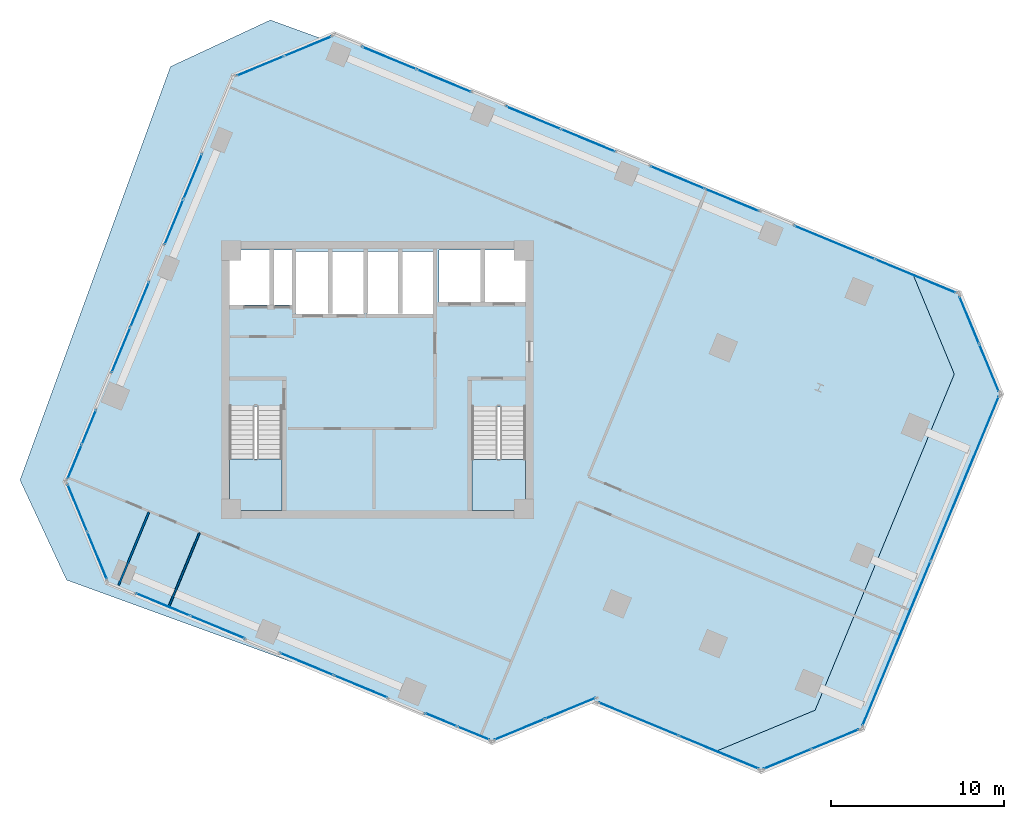
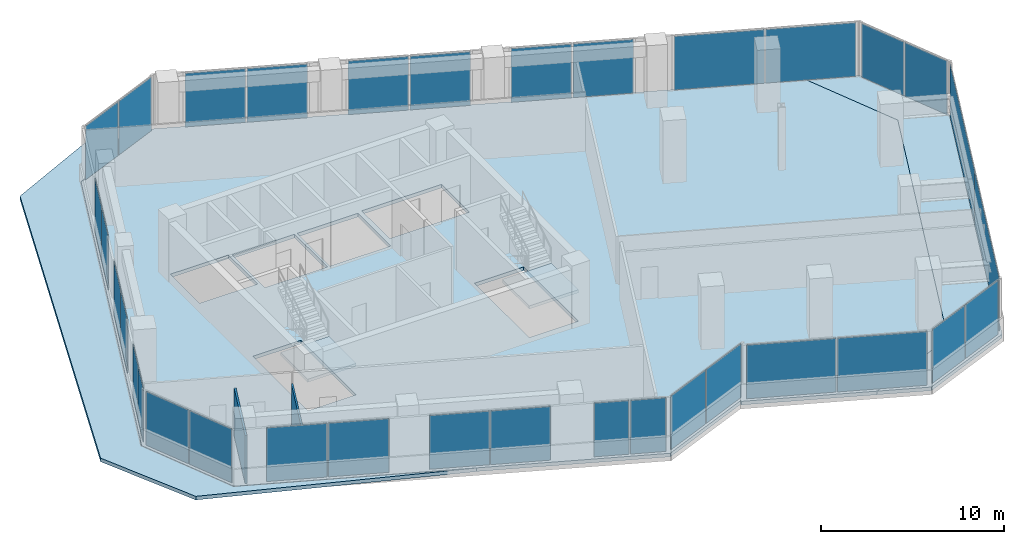
# One storey, part 18 of 24: 34 plates, 5 slabs, 2 walls, 19 elements without a shape of their own.
"""IFC4 building model written with IfcOpenShell, lengths in metres."""

from ifc_helpers import new_model, si_unit, direction, frame, frame_2d, origin, origin_2d, place, context, subcontext, project, spatial, polyline, rectangle, outline, extrude, source, transform, mapped, material, layer, layer_set, type_object, element, aggregate, save


model = new_model("IFC4")

# Units and contexts
model_context = context("Model", 3, precision=1e-05, world=origin(), true_north=direction((0.0, 1.0)))
body_context = subcontext(model_context, "Body", "Model", "MODEL_VIEW")
ifc_project = project(units=[si_unit("LENGTHUNIT", "METRE"), si_unit("AREAUNIT", "SQUARE_METRE"), si_unit("VOLUMEUNIT", "CUBIC_METRE"), si_unit("PLANEANGLEUNIT", "RADIAN"), si_unit("MASSUNIT", "GRAM", prefix="KILO")], contexts=[model_context])

# Site, building, storey
site_placement = place(None, origin())
site = spatial("IfcSite", under=ifc_project, at=site_placement, CompositionType="ELEMENT")
building_placement = place(site_placement, origin())
building = spatial("IfcBuilding", under=site, at=building_placement, Name="Torre Montelarca", CompositionType="ELEMENT")
storey_placement = place(building_placement, frame((0.0, 0.0, 141.39990234375)))
storey = spatial("IfcBuildingStorey", under=building, at=storey_placement, Name="L31", CompositionType="ELEMENT", Elevation=141.39990234375)

# Slabs
ifc_material_1 = material(Name="Concrete C40/50", Category="concrete")
ifc_layer_1 = layer(ifc_material_1, 0.239990234375, Name="Concrete C40/50", Category="concrete")
ifc_layer_set_1 = layer_set([ifc_layer_1], Name="Concrete C40/50")
slab_type_1 = type_object("IfcSlabType", Name="SL-FLR-240", PredefinedType="FLOOR", material=ifc_layer_set_1)
slab_1_placement = place(storey_placement, frame((0.0, 0.0, -0.239990234375)))
element("IfcSlab", 1, at=slab_1_placement, inside=storey, type_object=slab_type_1, Name="L31 Structural Floor Slab", PredefinedType="FLOOR", context=body_context, shape_type="SweptSolid", body=[
    extrude(outline(polyline([(24.60546875, 11.01416015625), (30.485107421875, 13.449462890625), (30.44677734375, 13.357177734375), (37.375732421875, 10.487060546875), (43.25537109375, 12.92236328125), (51.291748046875, 32.323974609375), (48.856201171875, 38.203369140625), (15.50439453125, 52.018310546875), (9.624755859375, 49.5830078125), (-0.095458984375, 26.1162109375), (2.340087890625, 20.23681640625), (24.60546875, 11.01416015625)]), holes=[polyline([(26.550048828125, 24.449951171875), (23.43994140625, 24.449951171875), (23.43994140625, 30.429931640625), (26.550048828125, 30.429931640625), (26.550048828125, 24.449951171875)]), polyline([(9.449951171875, 24.449951171875), (9.449951171875, 30.4599609375), (12.5, 30.4599609375), (12.5, 24.449951171875), (9.449951171875, 24.449951171875)]), polyline([(17.25, 35.800048828125), (13.300048828125, 35.800048828125), (13.300048828125, 39.39990234375), (17.25, 39.39990234375), (17.25, 35.800048828125)]), polyline([(21.25, 39.39990234375), (21.25, 35.800048828125), (17.39990234375, 35.800048828125), (17.39990234375, 39.39990234375), (21.25, 39.39990234375)]), polyline([(13.1201171875, 36.300048828125), (9.449951171875, 36.300048828125), (9.449951171875, 39.5), (13.1201171875, 39.5), (13.1201171875, 36.300048828125)]), polyline([(26.60009765625, 36.449951171875), (21.550048828125, 36.449951171875), (21.550048828125, 39.5), (26.60009765625, 39.5), (26.60009765625, 36.449951171875)])]), origin(), (0.0, 0.0, 1.0), 0.239990234375),
])
slab_2_placement = place(storey_placement, frame((0.0, 0.0, -0.239990234375)))
element("IfcSlab", 2, at=slab_2_placement, inside=storey, type_object=slab_type_1, Name="L31 Sliding Tray Winter Garden Floor Slab E1", PredefinedType="FLOOR", context=body_context, shape_type="SweptSolid", body=[
    extrude(outline(polyline([(48.856201171875, 38.203369140625), (51.291748046875, 32.323974609375), (43.25537109375, 12.92236328125), (37.375732421875, 10.487060546875), (40.1474609375, 9.339111328125), (46.027099609375, 11.7744140625), (54.063232421875, 31.17578125), (51.6279296875, 37.055419921875), (48.856201171875, 38.203369140625)])), origin(), (0.0, 0.0, 1.0), 0.239990234375),
])
ifc_material_2 = material(Name="Architectural concrete C40/50", Category="concrete")
ifc_layer_2 = layer(ifc_material_2, 0.239990234375, Name="Architectural concrete C40/50", Category="concrete")
ifc_layer_set_2 = layer_set([ifc_layer_2], Name="Architectural concrete C40/50")
slab_type_2 = type_object("IfcSlabType", Name="SL-ROOF-EXT-240", PredefinedType="ROOF", material=ifc_layer_set_2)
slab_3_placement = place(storey_placement, frame((0.0, 0.0, -0.239990234375)))
element("IfcSlab", 3, at=slab_3_placement, inside=storey, type_object=slab_type_2, Name="L30 Setback and Tray Overhang Roof Cap Slab 01", PredefinedType="ROOF", context=body_context, shape_type="SweptSolid", body=[
    extrude(outline(polyline([(2.333984375, 20.230712890625), (-0.10400390625, 26.1162109375), (9.61865234375, 49.589111328125), (14.726806640625, 51.704833984375), (11.817626953125, 52.763671875), (6.050048828125, 50.07421875), (-2.63720703125, 26.2060546875), (0.05224609375, 20.438232421875), (14.72900390625, 15.096435546875), (2.333984375, 20.230712890625)])), origin(), (0.0, 0.0, 1.0), 0.239990234375),
])

# Stair, slab
stair_type_1 = type_object("IfcStairType", Name="ST-CORE-ST1", PredefinedType="HALF_TURN_STAIR", material=ifc_material_1)
stair_1_placement = place(storey_placement, origin())
stair_1 = element("IfcStair", 4, at=stair_1_placement, inside=storey, type_object=stair_type_1, Name="L31 Protected Exit Stair ST1", PredefinedType="HALF_TURN_STAIR")
ifc_layer_3 = layer(ifc_material_1, 0.199951171875, Name="Concrete C40/50", Category="concrete")
ifc_layer_set_3 = layer_set([ifc_layer_3], Name="Concrete C40/50")
slab_type_3 = type_object("IfcSlabType", Name="SL-ST-LAND-ST1", PredefinedType="LANDING", material=ifc_layer_set_3)
slab_4_placement = place(storey_placement, frame((0.0, 0.0, 1.900146484375)))
slab_4 = element("IfcSlab", 5, at=slab_4_placement, type_object=slab_type_3, Name="ST1 landing 1", PredefinedType="LANDING", context=body_context, shape_type="SweptSolid", body=[
    extrude(outline(polyline([(9.449951171875, 27.419921875), (9.449951171875, 24.449951171875), (12.5, 24.449951171875), (12.5, 27.419921875), (9.449951171875, 27.419921875)])), origin(), (0.0, 0.0, 1.0), 0.199951171875),
])
aggregate(stair_1, [slab_4])

stair_type_2 = type_object("IfcStairType", Name="ST-CORE-ST2", PredefinedType="HALF_TURN_STAIR", material=ifc_material_1)
stair_2_placement = place(storey_placement, origin())
stair_2 = element("IfcStair", 6, at=stair_2_placement, inside=storey, type_object=stair_type_2, Name="L31 Protected Exit Stair ST2", PredefinedType="HALF_TURN_STAIR")
ifc_layer_4 = layer(ifc_material_1, 0.199951171875, Name="Concrete C40/50", Category="concrete")
ifc_layer_set_4 = layer_set([ifc_layer_4], Name="Concrete C40/50")
slab_type_4 = type_object("IfcSlabType", Name="SL-ST-LAND-ST2", PredefinedType="LANDING", material=ifc_layer_set_4)
slab_5_placement = place(storey_placement, frame((0.0, 0.0, 1.900146484375)))
slab_5 = element("IfcSlab", 7, at=slab_5_placement, type_object=slab_type_4, Name="ST2 landing 1", PredefinedType="LANDING", context=body_context, shape_type="SweptSolid", body=[
    extrude(outline(polyline([(23.43994140625, 27.389892578125), (23.43994140625, 24.449951171875), (26.550048828125, 24.449951171875), (26.550048828125, 27.389892578125), (23.43994140625, 27.389892578125)])), origin(), (0.0, 0.0, 1.0), 0.199951171875),
])
aggregate(stair_2, [slab_5])

# Curtain wall, plates
ifc_material_3 = material(Name="Insulated low-E laminated glass", Category="glass")
curtain_wall_type = type_object("IfcCurtainWallType", Name="CW-SYS-Z2", PredefinedType="USERDEFINED", material=ifc_material_3)
curtain_wall_1_placement = place(storey_placement, origin())
curtain_wall_1 = element("IfcCurtainWall", 8, at=curtain_wall_1_placement, inside=storey, type_object=curtain_wall_type, Name="L31 Curtain Wall Run CW-T3-L31-E01-B3", ObjectType="UNITISED GLAZING", PredefinedType="USERDEFINED")
ifc_layer_5 = layer(ifc_material_3, 0.031982421875, Name="Insulated low-E laminated glass", Category="glass")
ifc_layer_set_5 = layer_set([ifc_layer_5], Name="Insulated low-E laminated glass")
plate_type = type_object("IfcPlateType", Name="CWP-GLZ-32", PredefinedType="CURTAIN_PANEL", material=ifc_layer_set_5)
shared_shape_1 = source(origin(), body_context, "Body", "SweptSolid", [
    extrude(rectangle(XDim=1.95458984375, YDim=0.031982421875, at=origin_2d()), origin(), (0.0, 0.0, 1.0), 3.590087890625),
])
plate_1_placement = place(storey_placement, frame((21.673095703125, 12.369384765625, 0.06494140625), z_axis=(0.0, 0.0, 1.0), x_axis=(0.923885869728, -0.382668132611, 0.0)))
plate_1 = element("IfcPlate", 9, at=plate_1_placement, type_object=plate_type, Name="CW panel 1.1", PredefinedType="CURTAIN_PANEL", context=body_context, shape_type="MappedRepresentation", body=[
    mapped(shared_shape_1, transform((0.0, 0.0, 0.0), scale=1.0)),
])
plate_2_placement = place(storey_placement, frame((23.5390625, 11.596435546875, 0.06494140625), z_axis=(0.0, 0.0, 1.0), x_axis=(0.923885869728, -0.382668132611, 0.0)))
plate_2 = element("IfcPlate", 10, at=plate_2_placement, type_object=plate_type, Name="CW panel 2.1", PredefinedType="CURTAIN_PANEL", context=body_context, shape_type="MappedRepresentation", body=[
    mapped(shared_shape_1, transform((0.0, 0.0, 0.0), scale=1.0)),
])
aggregate(curtain_wall_1, [plate_1, plate_2])

curtain_wall_2_placement = place(storey_placement, origin())
curtain_wall_2 = element("IfcCurtainWall", 11, at=curtain_wall_2_placement, inside=storey, type_object=curtain_wall_type, Name="L31 Curtain Wall Run CW-T3-L31-E05-B1", ObjectType="UNITISED GLAZING", PredefinedType="USERDEFINED")
shared_shape_2 = source(origin(), body_context, "Body", "SweptSolid", [
    extrude(rectangle(XDim=2.918701171875, YDim=0.031982421875, at=origin_2d()), origin(), (0.0, 0.0, 1.0), 3.590087890625),
])
plate_3_placement = place(storey_placement, frame((41.6591796875, 10.10595703125, 0.06494140625), z_axis=(0.0, 0.0, 1.0), x_axis=(0.923888535136, 0.382661697384, 0.0)))
plate_3 = element("IfcPlate", 12, at=plate_3_placement, type_object=plate_type, Name="CW panel 1.1", PredefinedType="CURTAIN_PANEL", context=body_context, shape_type="MappedRepresentation", body=[
    mapped(shared_shape_2, transform((0.0, 0.0, 0.0), scale=1.0)),
])
plate_4_placement = place(storey_placement, frame((44.415771484375, 11.24755859375, 0.06494140625), z_axis=(0.0, 0.0, 1.0), x_axis=(0.923888535136, 0.382661697384, 0.0)))
plate_4 = element("IfcPlate", 13, at=plate_4_placement, type_object=plate_type, Name="CW panel 2.1", PredefinedType="CURTAIN_PANEL", context=body_context, shape_type="MappedRepresentation", body=[
    mapped(shared_shape_2, transform((0.0, 0.0, 0.0), scale=1.0)),
])
aggregate(curtain_wall_2, [plate_3, plate_4])

curtain_wall_3_placement = place(storey_placement, origin())
curtain_wall_3 = element("IfcCurtainWall", 14, at=curtain_wall_3_placement, inside=storey, type_object=curtain_wall_type, Name="L31 Curtain Wall Run CW-T3-L31-E09-B1", ObjectType="UNITISED GLAZING", PredefinedType="USERDEFINED")
plate_5_placement = place(storey_placement, frame((13.992431640625, 51.25146484375, 0.06494140625), z_axis=(0.0, 0.0, 1.0), x_axis=(-0.923882674262, -0.38267584742, 0.0)))
plate_5 = element("IfcPlate", 15, at=plate_5_placement, type_object=plate_type, Name="CW panel 1.1", PredefinedType="CURTAIN_PANEL", context=body_context, shape_type="MappedRepresentation", body=[
    mapped(shared_shape_2, transform((0.0, 0.0, 0.0), scale=1.0)),
])
plate_6_placement = place(storey_placement, frame((11.236083984375, 50.109619140625, 0.06494140625), z_axis=(0.0, 0.0, 1.0), x_axis=(-0.923882674262, -0.38267584742, 0.0)))
plate_6 = element("IfcPlate", 16, at=plate_6_placement, type_object=plate_type, Name="CW panel 2.1", PredefinedType="CURTAIN_PANEL", context=body_context, shape_type="MappedRepresentation", body=[
    mapped(shared_shape_2, transform((0.0, 0.0, 0.0), scale=1.0)),
])
aggregate(curtain_wall_3, [plate_5, plate_6])

curtain_wall_4_placement = place(storey_placement, origin())
curtain_wall_4 = element("IfcCurtainWall", 17, at=curtain_wall_4_placement, inside=storey, type_object=curtain_wall_type, Name="L31 Curtain Wall Run CW-T3-L31-E11-B1", ObjectType="UNITISED GLAZING", PredefinedType="USERDEFINED")
plate_7_placement = place(storey_placement, frame((0.671630859375, 24.6044921875, 0.06494140625), z_axis=(0.0, 0.0, 1.0), x_axis=(0.382681708452, -0.923880246577, 0.0)))
plate_7 = element("IfcPlate", 18, at=plate_7_placement, type_object=plate_type, Name="CW panel 1.1", PredefinedType="CURTAIN_PANEL", context=body_context, shape_type="MappedRepresentation", body=[
    mapped(shared_shape_2, transform((0.0, 0.0, 0.0), scale=1.0)),
])
plate_8_placement = place(storey_placement, frame((1.813232421875, 21.84814453125, 0.06494140625), z_axis=(0.0, 0.0, 1.0), x_axis=(0.382681708452, -0.923880246577, 0.0)))
plate_8 = element("IfcPlate", 19, at=plate_8_placement, type_object=plate_type, Name="CW panel 2.1", PredefinedType="CURTAIN_PANEL", context=body_context, shape_type="MappedRepresentation", body=[
    mapped(shared_shape_2, transform((0.0, 0.0, 0.0), scale=1.0)),
])
aggregate(curtain_wall_4, [plate_7, plate_8])

curtain_wall_5_placement = place(storey_placement, origin())
curtain_wall_5 = element("IfcCurtainWall", 20, at=curtain_wall_5_placement, inside=storey, type_object=curtain_wall_type, Name="L31 Curtain Wall Run CW-T3-L31-E01-B1", ObjectType="UNITISED GLAZING", PredefinedType="USERDEFINED")
shared_shape_3 = source(origin(), body_context, "Body", "SweptSolid", [
    extrude(rectangle(XDim=3.347412109375, YDim=0.031982421875, at=origin_2d()), origin(), (0.0, 0.0, 1.0), 3.590087890625),
])
plate_9_placement = place(storey_placement, frame((5.61767578125, 19.02001953125, 0.06494140625), z_axis=(0.0, 0.0, 1.0), x_axis=(0.923876197522, -0.382691483643, 0.0)))
plate_9 = element("IfcPlate", 21, at=plate_9_placement, type_object=plate_type, Name="CW panel 1.1", PredefinedType="CURTAIN_PANEL", context=body_context, shape_type="MappedRepresentation", body=[
    mapped(shared_shape_3, transform((0.0, 0.0, 0.0), scale=1.0)),
])
plate_10_placement = place(storey_placement, frame((8.770263671875, 17.714111328125, 0.06494140625), z_axis=(0.0, 0.0, 1.0), x_axis=(0.923876197522, -0.382691483643, 0.0)))
plate_10 = element("IfcPlate", 22, at=plate_10_placement, type_object=plate_type, Name="CW panel 2.1", PredefinedType="CURTAIN_PANEL", context=body_context, shape_type="MappedRepresentation", body=[
    mapped(shared_shape_3, transform((0.0, 0.0, 0.0), scale=1.0)),
])
aggregate(curtain_wall_5, [plate_9, plate_10])

curtain_wall_6_placement = place(storey_placement, origin())
curtain_wall_6 = element("IfcCurtainWall", 23, at=curtain_wall_6_placement, inside=storey, type_object=curtain_wall_type, Name="L31 Curtain Wall Run CW-T3-L31-E08-B2", ObjectType="UNITISED GLAZING", PredefinedType="USERDEFINED")
plate_11_placement = place(storey_placement, frame((38.46484375, 42.366943359375, 0.06494140625), z_axis=(0.0, 0.0, 1.0), x_axis=(-0.923878323098, 0.382686352134, 0.0)))
plate_11 = element("IfcPlate", 24, at=plate_11_placement, type_object=plate_type, Name="CW panel 1.1", PredefinedType="CURTAIN_PANEL", context=body_context, shape_type="MappedRepresentation", body=[
    mapped(shared_shape_3, transform((0.0, 0.0, 0.0), scale=1.0)),
])
plate_12_placement = place(storey_placement, frame((35.312255859375, 43.6728515625, 0.06494140625), z_axis=(0.0, 0.0, 1.0), x_axis=(-0.923878323098, 0.382686352134, 0.0)))
plate_12 = element("IfcPlate", 25, at=plate_12_placement, type_object=plate_type, Name="CW panel 2.1", PredefinedType="CURTAIN_PANEL", context=body_context, shape_type="MappedRepresentation", body=[
    mapped(shared_shape_3, transform((0.0, 0.0, 0.0), scale=1.0)),
])
aggregate(curtain_wall_6, [plate_11, plate_12])

curtain_wall_7_placement = place(storey_placement, origin())
curtain_wall_7 = element("IfcCurtainWall", 26, at=curtain_wall_7_placement, inside=storey, type_object=curtain_wall_type, Name="L31 Curtain Wall Run CW-T3-L31-E08-B3", ObjectType="UNITISED GLAZING", PredefinedType="USERDEFINED")
plate_13_placement = place(storey_placement, frame((30.14990234375, 45.81103515625, 0.06494140625), z_axis=(0.0, 0.0, 1.0), x_axis=(-0.923878323098, 0.382686352134, 0.0)))
plate_13 = element("IfcPlate", 27, at=plate_13_placement, type_object=plate_type, Name="CW panel 1.1", PredefinedType="CURTAIN_PANEL", context=body_context, shape_type="MappedRepresentation", body=[
    mapped(shared_shape_3, transform((0.0, 0.0, 0.0), scale=1.0)),
])
plate_14_placement = place(storey_placement, frame((26.997314453125, 47.116943359375, 0.06494140625), z_axis=(0.0, 0.0, 1.0), x_axis=(-0.923878323098, 0.382686352134, 0.0)))
plate_14 = element("IfcPlate", 28, at=plate_14_placement, type_object=plate_type, Name="CW panel 2.1", PredefinedType="CURTAIN_PANEL", context=body_context, shape_type="MappedRepresentation", body=[
    mapped(shared_shape_3, transform((0.0, 0.0, 0.0), scale=1.0)),
])
aggregate(curtain_wall_7, [plate_13, plate_14])

curtain_wall_8_placement = place(storey_placement, origin())
curtain_wall_8 = element("IfcCurtainWall", 29, at=curtain_wall_8_placement, inside=storey, type_object=curtain_wall_type, Name="L31 Curtain Wall Run CW-T3-L31-E08-B4", ObjectType="UNITISED GLAZING", PredefinedType="USERDEFINED")
plate_15_placement = place(storey_placement, frame((21.835205078125, 49.25537109375, 0.06494140625), z_axis=(0.0, 0.0, 1.0), x_axis=(-0.923878323098, 0.382686352134, 0.0)))
plate_15 = element("IfcPlate", 30, at=plate_15_placement, type_object=plate_type, Name="CW panel 1.1", PredefinedType="CURTAIN_PANEL", context=body_context, shape_type="MappedRepresentation", body=[
    mapped(shared_shape_3, transform((0.0, 0.0, 0.0), scale=1.0)),
])
plate_16_placement = place(storey_placement, frame((18.682373046875, 50.561279296875, 0.06494140625), z_axis=(0.0, 0.0, 1.0), x_axis=(-0.923878323098, 0.382686352134, 0.0)))
plate_16 = element("IfcPlate", 31, at=plate_16_placement, type_object=plate_type, Name="CW panel 2.1", PredefinedType="CURTAIN_PANEL", context=body_context, shape_type="MappedRepresentation", body=[
    mapped(shared_shape_3, transform((0.0, 0.0, 0.0), scale=1.0)),
])
aggregate(curtain_wall_8, [plate_15, plate_16])

curtain_wall_9_placement = place(storey_placement, origin())
curtain_wall_9 = element("IfcCurtainWall", 32, at=curtain_wall_9_placement, inside=storey, type_object=curtain_wall_type, Name="L31 Curtain Wall Run CW-T3-L31-E01-B2", ObjectType="UNITISED GLAZING", PredefinedType="USERDEFINED")
shared_shape_4 = source(origin(), body_context, "Body", "SweptSolid", [
    extrude(rectangle(XDim=3.31005859375, YDim=0.031982421875, at=origin_2d()), origin(), (0.0, 0.0, 1.0), 3.590087890625),
])
plate_17_placement = place(storey_placement, frame((13.9150390625, 15.582763671875, 0.06494140625), z_axis=(0.0, 0.0, 1.0), x_axis=(0.92388019929, -0.382681822616, 0.0)))
plate_17 = element("IfcPlate", 33, at=plate_17_placement, type_object=plate_type, Name="CW panel 1.1", PredefinedType="CURTAIN_PANEL", context=body_context, shape_type="MappedRepresentation", body=[
    mapped(shared_shape_4, transform((0.0, 0.0, 0.0), scale=1.0)),
])
plate_18_placement = place(storey_placement, frame((17.033203125, 14.291259765625, 0.06494140625), z_axis=(0.0, 0.0, 1.0), x_axis=(0.92388019929, -0.382681822616, 0.0)))
plate_18 = element("IfcPlate", 34, at=plate_18_placement, type_object=plate_type, Name="CW panel 2.1", PredefinedType="CURTAIN_PANEL", context=body_context, shape_type="MappedRepresentation", body=[
    mapped(shared_shape_4, transform((0.0, 0.0, 0.0), scale=1.0)),
])
aggregate(curtain_wall_9, [plate_17, plate_18])

curtain_wall_10_placement = place(storey_placement, origin())
curtain_wall_10 = element("IfcCurtainWall", 35, at=curtain_wall_10_placement, inside=storey, type_object=curtain_wall_type, Name="L31 Curtain Wall Run CW-T3-L31-E02-B1", ObjectType="UNITISED GLAZING", PredefinedType="USERDEFINED")
shared_shape_5 = source(origin(), body_context, "Body", "SweptSolid", [
    extrude(rectangle(XDim=3.1025390625, YDim=0.031982421875, at=origin_2d()), origin(), (0.0, 0.0, 1.0), 3.590087890625),
])
plate_19_placement = place(storey_placement, frame((26.2021484375, 11.816162109375, 0.06494140625), z_axis=(0.0, 0.0, 1.0), x_axis=(0.92388524298, 0.382669645783, 0.0)))
plate_19 = element("IfcPlate", 36, at=plate_19_placement, type_object=plate_type, Name="CW panel 1.1", PredefinedType="CURTAIN_PANEL", context=body_context, shape_type="MappedRepresentation", body=[
    mapped(shared_shape_5, transform((0.0, 0.0, 0.0), scale=1.0)),
])
plate_20_placement = place(storey_placement, frame((29.128662109375, 13.0283203125, 0.06494140625), z_axis=(0.0, 0.0, 1.0), x_axis=(0.92388524298, 0.382669645783, 0.0)))
plate_20 = element("IfcPlate", 37, at=plate_20_placement, type_object=plate_type, Name="CW panel 2.1", PredefinedType="CURTAIN_PANEL", context=body_context, shape_type="MappedRepresentation", body=[
    mapped(shared_shape_5, transform((0.0, 0.0, 0.0), scale=1.0)),
])
aggregate(curtain_wall_10, [plate_19, plate_20])

curtain_wall_11_placement = place(storey_placement, origin())
curtain_wall_11 = element("IfcCurtainWall", 38, at=curtain_wall_11_placement, inside=storey, type_object=curtain_wall_type, Name="L31 Curtain Wall Run CW-T3-L31-E04-B1", ObjectType="UNITISED GLAZING", PredefinedType="USERDEFINED")
shared_shape_6 = source(origin(), body_context, "Body", "SweptSolid", [
    extrude(rectangle(XDim=4.948486328125, YDim=0.031982421875, at=origin_2d()), origin(), (0.0, 0.0, 1.0), 3.590087890625),
])
plate_21_placement = place(storey_placement, frame((33.066162109375, 12.412841796875, 0.06494140625), z_axis=(0.0, 0.0, 1.0), x_axis=(0.923884591678, -0.382671218228, 0.0)))
plate_21 = element("IfcPlate", 39, at=plate_21_placement, type_object=plate_type, Name="CW panel 1.1", PredefinedType="CURTAIN_PANEL", context=body_context, shape_type="MappedRepresentation", body=[
    mapped(shared_shape_6, transform((0.0, 0.0, 0.0), scale=1.0)),
])
plate_22_placement = place(storey_placement, frame((37.697998046875, 10.494384765625, 0.06494140625), z_axis=(0.0, 0.0, 1.0), x_axis=(0.923884591678, -0.382671218228, 0.0)))
plate_22 = element("IfcPlate", 40, at=plate_22_placement, type_object=plate_type, Name="CW panel 2.1", PredefinedType="CURTAIN_PANEL", context=body_context, shape_type="MappedRepresentation", body=[
    mapped(shared_shape_6, transform((0.0, 0.0, 0.0), scale=1.0)),
])
aggregate(curtain_wall_11, [plate_21, plate_22])

curtain_wall_12_placement = place(storey_placement, origin())
curtain_wall_12 = element("IfcCurtainWall", 41, at=curtain_wall_12_placement, inside=storey, type_object=curtain_wall_type, Name="L31 Curtain Wall Run CW-T3-L31-E06-B1", ObjectType="UNITISED GLAZING", PredefinedType="USERDEFINED")
shared_shape_7 = source(origin(), body_context, "Body", "SweptSolid", [
    extrude(rectangle(XDim=10.236572265625, YDim=0.031982421875, at=origin_2d()), origin(), (0.0, 0.0, 1.0), 3.590087890625),
])
plate_23_placement = place(storey_placement, frame((47.953857421875, 16.76611328125, 0.06494140625), z_axis=(0.0, 0.0, 1.0), x_axis=(0.38267897329, 0.923881379508, 0.0)))
plate_23 = element("IfcPlate", 42, at=plate_23_placement, type_object=plate_type, Name="CW panel 1.1", PredefinedType="CURTAIN_PANEL", context=body_context, shape_type="MappedRepresentation", body=[
    mapped(shared_shape_7, transform((0.0, 0.0, 0.0), scale=1.0)),
])
plate_24_placement = place(storey_placement, frame((51.896240234375, 26.283447265625, 0.06494140625), z_axis=(0.0, 0.0, 1.0), x_axis=(0.38267897329, 0.923881379508, 0.0)))
plate_24 = element("IfcPlate", 43, at=plate_24_placement, type_object=plate_type, Name="CW panel 2.1", PredefinedType="CURTAIN_PANEL", context=body_context, shape_type="MappedRepresentation", body=[
    mapped(shared_shape_7, transform((0.0, 0.0, 0.0), scale=1.0)),
])
aggregate(curtain_wall_12, [plate_23, plate_24])

curtain_wall_13_placement = place(storey_placement, origin())
curtain_wall_13 = element("IfcCurtainWall", 44, at=curtain_wall_13_placement, inside=storey, type_object=curtain_wall_type, Name="L31 Curtain Wall Run CW-T3-L31-E07-B1", ObjectType="UNITISED GLAZING", PredefinedType="USERDEFINED")
shared_shape_8 = source(origin(), body_context, "Body", "SweptSolid", [
    extrude(rectangle(XDim=2.91845703125, YDim=0.031982421875, at=origin_2d()), origin(), (0.0, 0.0, 1.0), 3.590087890625),
])
plate_25_placement = place(storey_placement, frame((53.29638671875, 32.6875, 0.06494140625), z_axis=(0.0, 0.0, 1.0), x_axis=(-0.38266755826, 0.923886107621, 0.0)))
plate_25 = element("IfcPlate", 45, at=plate_25_placement, type_object=plate_type, Name="CW panel 1.1", PredefinedType="CURTAIN_PANEL", context=body_context, shape_type="MappedRepresentation", body=[
    mapped(shared_shape_8, transform((0.0, 0.0, 0.0), scale=1.0)),
])
plate_26_placement = place(storey_placement, frame((52.15478515625, 35.444091796875, 0.06494140625), z_axis=(0.0, 0.0, 1.0), x_axis=(-0.38266755826, 0.923886107621, 0.0)))
plate_26 = element("IfcPlate", 46, at=plate_26_placement, type_object=plate_type, Name="CW panel 2.1", PredefinedType="CURTAIN_PANEL", context=body_context, shape_type="MappedRepresentation", body=[
    mapped(shared_shape_8, transform((0.0, 0.0, 0.0), scale=1.0)),
])
aggregate(curtain_wall_13, [plate_25, plate_26])

curtain_wall_14_placement = place(storey_placement, origin())
curtain_wall_14 = element("IfcCurtainWall", 47, at=curtain_wall_14_placement, inside=storey, type_object=curtain_wall_type, Name="L31 Curtain Wall Run CW-T3-L31-E08-B1", ObjectType="UNITISED GLAZING", PredefinedType="USERDEFINED")
shared_shape_9 = source(origin(), body_context, "Body", "SweptSolid", [
    extrude(rectangle(XDim=4.9921875, YDim=0.031982421875, at=origin_2d()), origin(), (0.0, 0.0, 1.0), 3.590087890625),
])
plate_27_placement = place(storey_placement, frame((49.058837890625, 37.978759765625, 0.06494140625), z_axis=(0.0, 0.0, 1.0), x_axis=(-0.923880575394, 0.382680914615, 0.0)))
plate_27 = element("IfcPlate", 48, at=plate_27_placement, type_object=plate_type, Name="CW panel 1.1", PredefinedType="CURTAIN_PANEL", context=body_context, shape_type="MappedRepresentation", body=[
    mapped(shared_shape_9, transform((0.0, 0.0, 0.0), scale=1.0)),
])
plate_28_placement = place(storey_placement, frame((44.38671875, 39.9140625, 0.06494140625), z_axis=(0.0, 0.0, 1.0), x_axis=(-0.923880575394, 0.382680914615, 0.0)))
plate_28 = element("IfcPlate", 49, at=plate_28_placement, type_object=plate_type, Name="CW panel 2.1", PredefinedType="CURTAIN_PANEL", context=body_context, shape_type="MappedRepresentation", body=[
    mapped(shared_shape_9, transform((0.0, 0.0, 0.0), scale=1.0)),
])
aggregate(curtain_wall_14, [plate_27, plate_28])

curtain_wall_15_placement = place(storey_placement, origin())
curtain_wall_15 = element("IfcCurtainWall", 50, at=curtain_wall_15_placement, inside=storey, type_object=curtain_wall_type, Name="L31 Curtain Wall Run CW-T3-L31-E10-B1", ObjectType="UNITISED GLAZING", PredefinedType="USERDEFINED")
shared_shape_10 = source(origin(), body_context, "Body", "SweptSolid", [
    extrude(rectangle(XDim=2.7724609375, YDim=0.031982421875, at=origin_2d()), origin(), (0.0, 0.0, 1.0), 3.590087890625),
])
plate_29_placement = place(storey_placement, frame((7.341064453125, 43.72998046875, 0.06494140625), z_axis=(0.0, 0.0, 1.0), x_axis=(-0.382681061672, -0.923880514481, 0.0)))
plate_29 = element("IfcPlate", 51, at=plate_29_placement, type_object=plate_type, Name="CW panel 1.1", PredefinedType="CURTAIN_PANEL", context=body_context, shape_type="MappedRepresentation", body=[
    mapped(shared_shape_10, transform((0.0, 0.0, 0.0), scale=1.0)),
])
plate_30_placement = place(storey_placement, frame((6.25537109375, 41.1083984375, 0.06494140625), z_axis=(0.0, 0.0, 1.0), x_axis=(-0.382681061672, -0.923880514481, 0.0)))
plate_30 = element("IfcPlate", 52, at=plate_30_placement, type_object=plate_type, Name="CW panel 2.1", PredefinedType="CURTAIN_PANEL", context=body_context, shape_type="MappedRepresentation", body=[
    mapped(shared_shape_10, transform((0.0, 0.0, 0.0), scale=1.0)),
])
aggregate(curtain_wall_15, [plate_29, plate_30])

curtain_wall_16_placement = place(storey_placement, origin())
curtain_wall_16 = element("IfcCurtainWall", 53, at=curtain_wall_16_placement, inside=storey, type_object=curtain_wall_type, Name="L31 Curtain Wall Run CW-T3-L31-E10-B2", ObjectType="UNITISED GLAZING", PredefinedType="USERDEFINED")
plate_31_placement = place(storey_placement, frame((4.279541015625, 36.3388671875, 0.06494140625), z_axis=(0.0, 0.0, 1.0), x_axis=(-0.38268722116, -0.923877963132, 0.0)))
plate_31 = element("IfcPlate", 54, at=plate_31_placement, type_object=plate_type, Name="CW panel 1.1", PredefinedType="CURTAIN_PANEL", context=body_context, shape_type="MappedRepresentation", body=[
    mapped(shared_shape_10, transform((0.0, 0.0, 0.0), scale=1.0)),
])
plate_32_placement = place(storey_placement, frame((3.19384765625, 33.717529296875, 0.06494140625), z_axis=(0.0, 0.0, 1.0), x_axis=(-0.38268722116, -0.923877963132, 0.0)))
plate_32 = element("IfcPlate", 55, at=plate_32_placement, type_object=plate_type, Name="CW panel 2.1", PredefinedType="CURTAIN_PANEL", context=body_context, shape_type="MappedRepresentation", body=[
    mapped(shared_shape_10, transform((0.0, 0.0, 0.0), scale=1.0)),
])
aggregate(curtain_wall_16, [plate_31, plate_32])

curtain_wall_17_placement = place(storey_placement, origin())
curtain_wall_17 = element("IfcCurtainWall", 56, at=curtain_wall_17_placement, inside=storey, type_object=curtain_wall_type, Name="L31 Curtain Wall Run CW-T3-L31-E10-B3", ObjectType="UNITISED GLAZING", PredefinedType="USERDEFINED")
shared_shape_11 = source(origin(), body_context, "Body", "SweptSolid", [
    extrude(rectangle(XDim=2.1044921875, YDim=0.031982421875, at=origin_2d()), origin(), (0.0, 0.0, 1.0), 3.590087890625),
])
plate_33_placement = place(storey_placement, frame((1.345947265625, 29.25634765625, 0.06494140625), z_axis=(0.0, 0.0, 1.0), x_axis=(-0.38268467971, -0.923879015843, 0.0)))
plate_33 = element("IfcPlate", 57, at=plate_33_placement, type_object=plate_type, Name="CW panel 1.1", PredefinedType="CURTAIN_PANEL", context=body_context, shape_type="MappedRepresentation", body=[
    mapped(shared_shape_11, transform((0.0, 0.0, 0.0), scale=1.0)),
])
plate_34_placement = place(storey_placement, frame((0.515869140625, 27.251953125, 0.06494140625), z_axis=(0.0, 0.0, 1.0), x_axis=(-0.38268467971, -0.923879015843, 0.0)))
plate_34 = element("IfcPlate", 58, at=plate_34_placement, type_object=plate_type, Name="CW panel 2.1", PredefinedType="CURTAIN_PANEL", context=body_context, shape_type="MappedRepresentation", body=[
    mapped(shared_shape_11, transform((0.0, 0.0, 0.0), scale=1.0)),
])
aggregate(curtain_wall_17, [plate_33, plate_34])

# Walls
ifc_material_4 = material(Name="Acoustic laminated glass partition", Category="glass")
ifc_layer_6 = layer(ifc_material_4, 0.10009765625, Name="Acoustic laminated glass partition", Category="glass")
ifc_layer_set_6 = layer_set([ifc_layer_6], Name="Acoustic laminated glass partition")
wall_type_1 = type_object("IfcWallType", Name="PW-GLAZ-100", PredefinedType="PARTITIONING", material=ifc_layer_set_6)
wall_1_placement = place(storey_placement, frame((5.9658203125, 18.9296875, 0.0), z_axis=(0.0, 0.0, 1.0), x_axis=(0.382676631985, 0.923882349292, 0.0)))
element("IfcWall", 59, at=wall_1_placement, inside=storey, type_object=wall_type_1, Name="L31 Interior Partition W-L31-SWCDIV", PredefinedType="PARTITIONING", context=body_context, shape_type="SweptSolid", body=[
    extrude(rectangle(XDim=4.580078125, YDim=0.10009765625, at=frame_2d((2.2900390625, 0.0))), origin(), (0.0, 0.0, 1.0), 3.195068359375),
])
ifc_material_5 = material(Name="Gypsum plasterboard on steel stud", Category="steel")
ifc_layer_7 = layer(ifc_material_5, 0.114990234375, Name="Gypsum plasterboard on steel stud", Category="steel")
ifc_layer_set_7 = layer_set([ifc_layer_7], Name="Gypsum plasterboard on steel stud")
wall_type_2 = type_object("IfcWallType", Name="PW-PART-115", PredefinedType="PARTITIONING", material=ifc_layer_set_7)
wall_2_placement = place(storey_placement, frame((3.055419921875, 20.13525390625, 0.0), z_axis=(0.0, 0.0, 1.0), x_axis=(0.382676631985, 0.923882349292, 0.0)))
element("IfcWall", 60, at=wall_2_placement, inside=storey, type_object=wall_type_2, Name="L31 Interior Partition W-L31-WCD", PredefinedType="PARTITIONING", context=body_context, shape_type="SweptSolid", body=[
    extrude(rectangle(XDim=4.580078125, YDim=0.114990234375, at=frame_2d((2.2900390625, 0.0))), origin(), (0.0, 0.0, 1.0), 3.195068359375),
])

save(model, "model.ifc")
